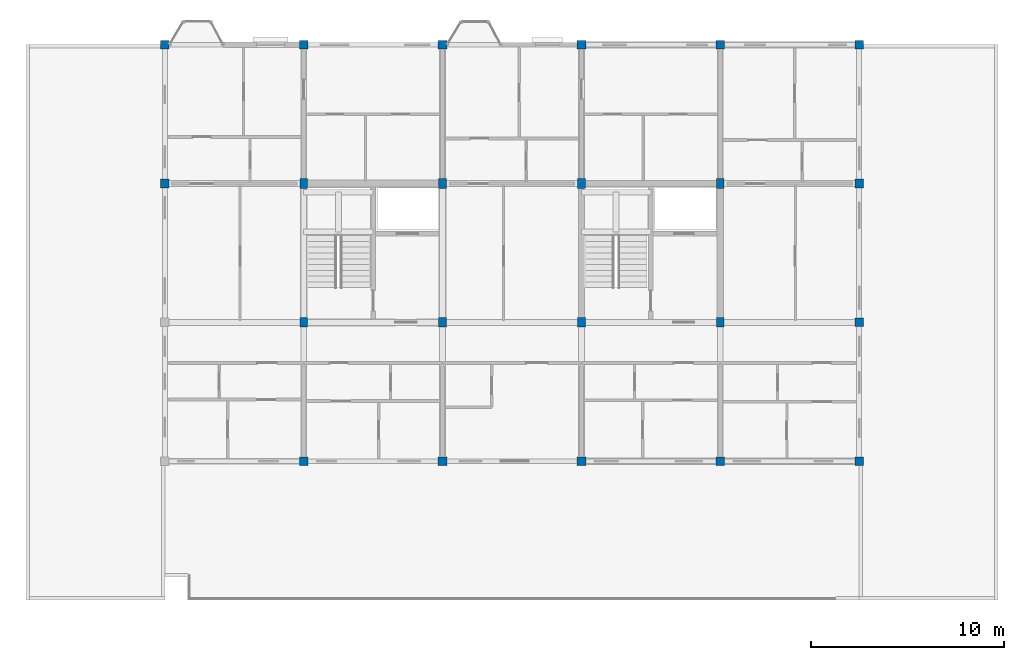
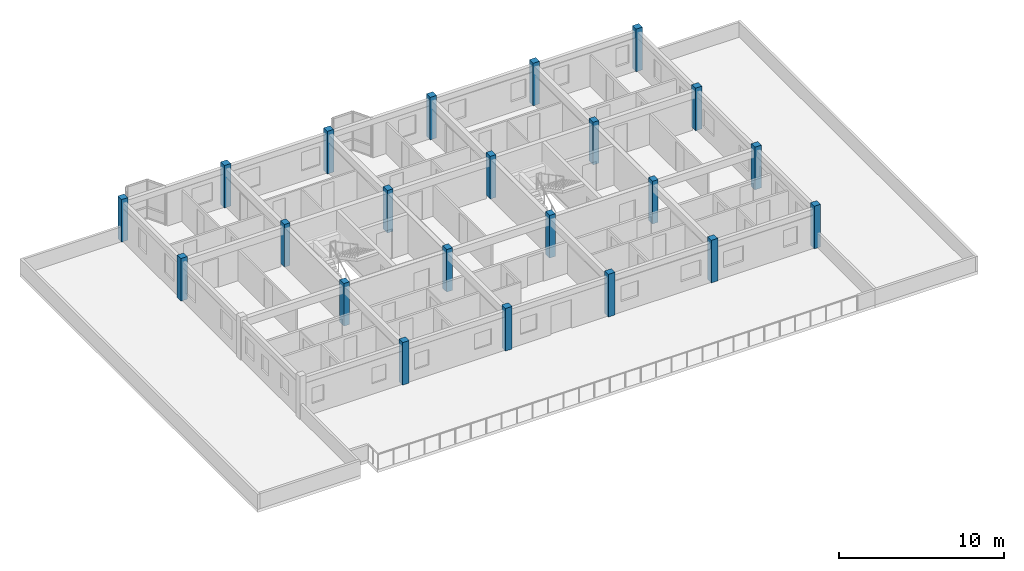
# One storey, part 2 of 40: 22 columns.
"""IFC4 building model written with IfcOpenShell, lengths in metres."""

from ifc_helpers import new_model, si_unit, direction, frame, origin, origin_2d, place, context, subcontext, project, spatial, rectangle, extrude, material, material_profile, profile_set, type_object, element, save


model = new_model("IFC4")

# Units and contexts
model_context = context("Model", 3, precision=1e-05, world=origin(), true_north=direction((0.0, 1.0)))
body_context = subcontext(model_context, "Body", "Model", "MODEL_VIEW")
ifc_project = project(units=[si_unit("LENGTHUNIT", "METRE"), si_unit("AREAUNIT", "SQUARE_METRE"), si_unit("VOLUMEUNIT", "CUBIC_METRE"), si_unit("PLANEANGLEUNIT", "RADIAN"), si_unit("MASSUNIT", "GRAM", prefix="KILO"), si_unit("THERMODYNAMICTEMPERATUREUNIT", "KELVIN"), si_unit("POWERUNIT", "WATT")], contexts=[model_context])

# Site, building, storey
site_placement = place(None, origin())
site = spatial("IfcSite", under=ifc_project, at=site_placement, CompositionType="ELEMENT")
building_placement = place(site_placement, origin())
building = spatial("IfcBuilding", under=site, at=building_placement, Name="Tavuni Mirador Residences", CompositionType="ELEMENT")
storey_placement = place(building_placement, frame((0.0, 0.0, 36.0)))
storey = spatial("IfcBuildingStorey", under=building, at=storey_placement, Name="L11", CompositionType="ELEMENT", Elevation=36.0)

# Columns
ifc_material = material(Name="Precast concrete C40/50", Category="concrete")
ifc_material_profile_1 = material_profile(ifc_material, rectangle(XDim=0.39990234375, YDim=0.5, at=origin_2d()), Name="PC 400x500", Category="concrete")
ifc_profile_set_1 = profile_set([ifc_material_profile_1], Name="Precast concrete C40/50")
column_type_1 = type_object("IfcColumnType", Name="CT-PC400X500", PredefinedType="COLUMN", material=ifc_profile_set_1)
for number, where, z_axis, x_axis, name in (
    (1, (25.199951171875, 158.39990234375, 0.0), (0.0, 0.0, 1.0), (1.0, 0.0, 0.0), "COL-BLK-C-L11-01-01"),
    (2, (25.199951171875, 165.60009765625, 0.0), (0.0, 0.0, 1.0), (1.0, 0.0, 0.0), "COL-BLK-C-L11-01-02"),
    (3, (32.39990234375, 158.39990234375, 0.0), (0.0, 0.0, 1.0), (1.0, 0.0, 0.0), "COL-BLK-C-L11-02-01"),
    (4, (32.39990234375, 165.60009765625, 0.0), (0.0, 0.0, 1.0), (1.0, 0.0, 0.0), "COL-BLK-C-L11-02-02"),
    (5, (39.60009765625, 158.39990234375, 0.0), (0.0, 0.0, 1.0), (1.0, 0.0, 0.0), "COL-BLK-C-L11-03-01"),
    (6, (39.60009765625, 165.60009765625, 0.0), (0.0, 0.0, 1.0), (1.0, 0.0, 0.0), "COL-BLK-C-L11-03-02"),
    (7, (46.800048828125, 158.39990234375, 0.0), (0.0, 0.0, 1.0), (1.0, 0.0, 0.0), "COL-BLK-C-L11-04-01"),
    (8, (46.800048828125, 165.60009765625, 0.0), (0.0, 0.0, 1.0), (1.0, 0.0, 0.0), "COL-BLK-C-L11-04-02"),
):
    element("IfcColumn", number, at=place(storey_placement, frame(where, z_axis=z_axis, x_axis=x_axis)), inside=storey, type_object=column_type_1, Name=name, PredefinedType="COLUMN", context=body_context, shape_type="SweptSolid", body=[
        extrude(rectangle(XDim=0.39990234375, YDim=0.5, at=origin_2d()), origin(), (0.0, 0.0, 1.0), 3.14990234375),
    ])
ifc_material_profile_2 = material_profile(ifc_material, rectangle(XDim=0.449951171875, YDim=0.449951171875, at=origin_2d()), Name="RC 450x450", Category="concrete")
ifc_profile_set_2 = profile_set([ifc_material_profile_2], Name="Precast concrete C40/50")
column_type_2 = type_object("IfcColumnType", Name="CT-RC450", PredefinedType="COLUMN", material=ifc_profile_set_2)
for number, where, z_axis, x_axis, name in (
    (9, (18.0, 165.60009765625, 0.0), (0.0, 0.0, 1.0), (1.0, 0.0, 0.0), "COL-BLK-C-L11-00-02"),
    (10, (18.0, 172.800048828125, 0.0), (0.0, 0.0, 1.0), (1.0, 0.0, 0.0), "COL-BLK-C-L11-00-03"),
    (11, (25.199951171875, 151.199951171875, 0.0), (0.0, 0.0, 1.0), (1.0, 0.0, 0.0), "COL-BLK-C-L11-01-00"),
    (12, (25.199951171875, 172.800048828125, 0.0), (0.0, 0.0, 1.0), (1.0, 0.0, 0.0), "COL-BLK-C-L11-01-03"),
    (13, (32.39990234375, 151.199951171875, 0.0), (0.0, 0.0, 1.0), (1.0, 0.0, 0.0), "COL-BLK-C-L11-02-00"),
    (14, (32.39990234375, 172.800048828125, 0.0), (0.0, 0.0, 1.0), (1.0, 0.0, 0.0), "COL-BLK-C-L11-02-03"),
    (15, (39.60009765625, 151.199951171875, 0.0), (0.0, 0.0, 1.0), (1.0, 0.0, 0.0), "COL-BLK-C-L11-03-00"),
    (16, (39.60009765625, 172.800048828125, 0.0), (0.0, 0.0, 1.0), (1.0, 0.0, 0.0), "COL-BLK-C-L11-03-03"),
    (17, (46.800048828125, 151.199951171875, 0.0), (0.0, 0.0, 1.0), (1.0, 0.0, 0.0), "COL-BLK-C-L11-04-00"),
    (18, (46.800048828125, 172.800048828125, 0.0), (0.0, 0.0, 1.0), (1.0, 0.0, 0.0), "COL-BLK-C-L11-04-03"),
    (19, (54.0, 151.199951171875, 0.0), (0.0, 0.0, 1.0), (1.0, 0.0, 0.0), "COL-BLK-C-L11-05-00"),
    (20, (54.0, 158.39990234375, 0.0), (0.0, 0.0, 1.0), (1.0, 0.0, 0.0), "COL-BLK-C-L11-05-01"),
    (21, (54.0, 165.60009765625, 0.0), (0.0, 0.0, 1.0), (1.0, 0.0, 0.0), "COL-BLK-C-L11-05-02"),
    (22, (54.0, 172.800048828125, 0.0), (0.0, 0.0, 1.0), (1.0, 0.0, 0.0), "COL-BLK-C-L11-05-03"),
):
    element("IfcColumn", number, at=place(storey_placement, frame(where, z_axis=z_axis, x_axis=x_axis)), inside=storey, type_object=column_type_2, Name=name, PredefinedType="COLUMN", context=body_context, shape_type="SweptSolid", body=[
        extrude(rectangle(XDim=0.449951171875, YDim=0.449951171875, at=origin_2d()), origin(), (0.0, 0.0, 1.0), 3.14990234375),
    ])

save(model, "model.ifc")
